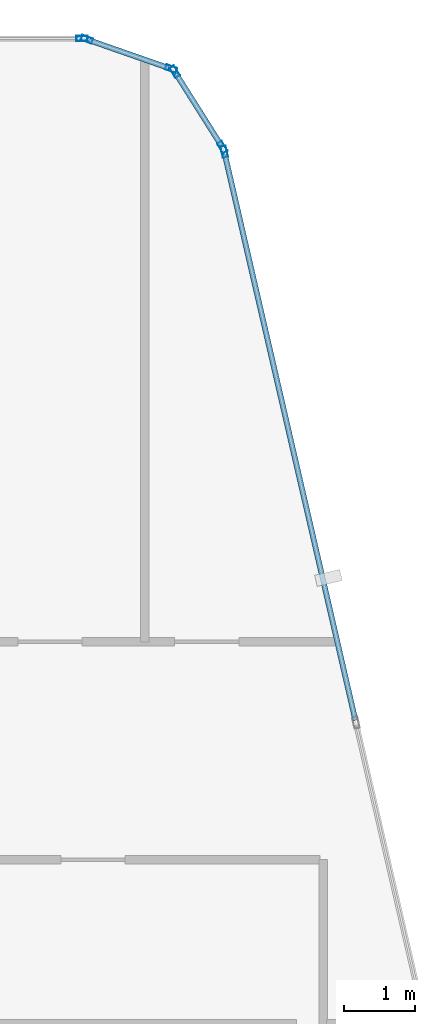
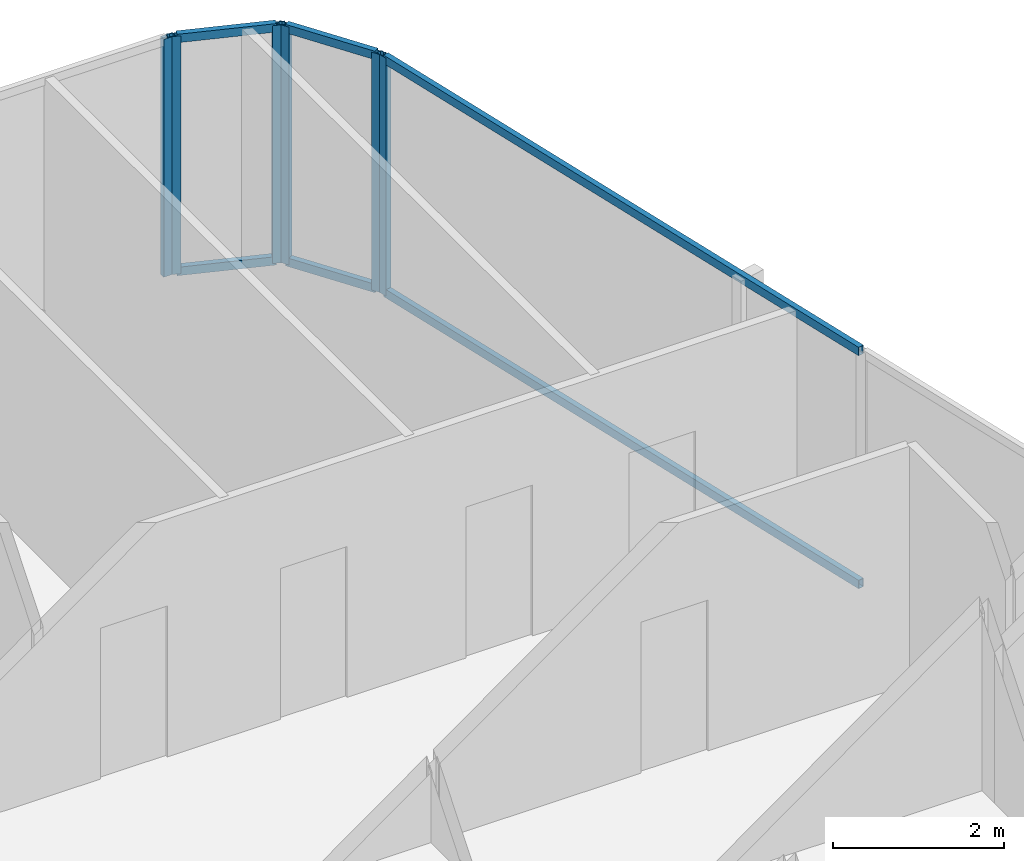
# One storey, part 21 of 30: 12 members, 4 elements without a shape of their own.
"""IFC4 building model written with IfcOpenShell, lengths in metres."""

from ifc_helpers import new_model, si_unit, direction, frame, origin, origin_2d, place, context, subcontext, project, spatial, hollow_rectangle, extrude, material, layer, layer_set, material_profile, profile_set, type_object, element, aggregate, save


model = new_model("IFC4")

# Units and contexts
model_context = context("Model", 3, precision=1e-05, world=origin(), true_north=direction((0.0, 1.0)))
body_context = subcontext(model_context, "Body", "Model", "MODEL_VIEW")
ifc_project = project(units=[si_unit("LENGTHUNIT", "METRE"), si_unit("AREAUNIT", "SQUARE_METRE"), si_unit("VOLUMEUNIT", "CUBIC_METRE"), si_unit("PLANEANGLEUNIT", "RADIAN"), si_unit("MASSUNIT", "GRAM", prefix="KILO")], contexts=[model_context])

# Site, building, storey
site_placement = place(None, origin())
site = spatial("IfcSite", under=ifc_project, at=site_placement, CompositionType="ELEMENT")
building_placement = place(site_placement, origin())
building = spatial("IfcBuilding", under=site, at=building_placement, Name="Keshet Zoharim Tower", CompositionType="ELEMENT")
storey_placement = place(building_placement, frame((0.0, 0.0, 280.60009765625)))
storey = spatial("IfcBuildingStorey", under=building, at=storey_placement, Name="L70", CompositionType="ELEMENT", Elevation=280.60009765625)

# Curtain wall, member
ifc_material = material(Name="Aluminium 6063-T6", Category="aluminium")
ifc_layer = layer(ifc_material, 0.260009765625)
ifc_layer_set = layer_set([ifc_layer], Name="Aluminium 6063-T6")
curtain_wall_type = type_object("IfcCurtainWallType", Name="CW-SYS-06", PredefinedType="NOTDEFINED", material=ifc_layer_set)
curtain_wall_1_placement = place(storey_placement, origin())
curtain_wall_1 = element("IfcCurtainWall", 1, at=curtain_wall_1_placement, inside=storey, type_object=curtain_wall_type, Name="L70 Unitised Curtain Wall 06 Part 3", PredefinedType="NOTDEFINED")
ifc_material_profile_1 = material_profile(ifc_material, hollow_rectangle(XDim=0.074951171875, YDim=0.159912109375, WallThickness=0.00390625, at=origin_2d()), Name="MUL-75x160")
ifc_profile_set_1 = profile_set([ifc_material_profile_1], Name="Aluminium 6063-T6")
member_type_1 = type_object("IfcMemberType", Name="CWM-M15", PredefinedType="MULLION", material=ifc_profile_set_1)
member_1_placement = place(storey_placement, frame((37.3740234375, 53.89990234375, 0.0), z_axis=(0.0, 0.0, 1.0), x_axis=(0.0, 1.0, 0.0)))
member_1 = element("IfcMember", 2, at=member_1_placement, type_object=member_type_1, Name="CW-06 mullion 2", PredefinedType="MULLION", context=body_context, shape_type="SweptSolid", body=[
    extrude(hollow_rectangle(XDim=0.074951171875, YDim=0.159912109375, WallThickness=0.00390625, at=origin_2d()), origin(), (0.0, 0.0, 1.0), 3.389892578125),
])
aggregate(curtain_wall_1, [member_1])

# Curtain wall, members
curtain_wall_2_placement = place(storey_placement, origin())
curtain_wall_2 = element("IfcCurtainWall", 3, at=curtain_wall_2_placement, inside=storey, type_object=curtain_wall_type, Name="L70 Unitised Curtain Wall 07", PredefinedType="NOTDEFINED")
member_2_placement = place(storey_placement, frame((37.442138671875, 53.888427734375, 0.0), z_axis=(0.0, 0.0, 1.0), x_axis=(0.329843743636, 0.944035542119, 0.0)))
member_2 = element("IfcMember", 4, at=member_2_placement, type_object=member_type_1, Name="CW-06 mullion 1", PredefinedType="MULLION", context=body_context, shape_type="SweptSolid", body=[
    extrude(hollow_rectangle(XDim=0.074951171875, YDim=0.159912109375, WallThickness=0.00390625, at=origin_2d()), origin(), (0.0, 0.0, 1.0), 3.389892578125),
])
member_3_placement = place(storey_placement, frame((38.620849609375, 53.4765625, 0.0), z_axis=(0.0, 0.0, 1.0), x_axis=(0.329843743636, 0.944035542119, 0.0)))
member_3 = element("IfcMember", 5, at=member_3_placement, type_object=member_type_1, Name="CW-06 mullion 2", PredefinedType="MULLION", context=body_context, shape_type="SweptSolid", body=[
    extrude(hollow_rectangle(XDim=0.074951171875, YDim=0.159912109375, WallThickness=0.00390625, at=origin_2d()), origin(), (0.0, 0.0, 1.0), 3.389892578125),
])

curtain_wall_3_placement = place(storey_placement, origin())
curtain_wall_3 = element("IfcCurtainWall", 6, at=curtain_wall_3_placement, inside=storey, type_object=curtain_wall_type, Name="L70 Unitised Curtain Wall 08", PredefinedType="NOTDEFINED")
member_4_placement = place(storey_placement, frame((38.672607421875, 53.435302734375, 0.0), z_axis=(0.0, 0.0, 1.0), x_axis=(0.845560976183, 0.533878858502, 0.0)))
member_4 = element("IfcMember", 7, at=member_4_placement, type_object=member_type_1, Name="CW-06 mullion 1", PredefinedType="MULLION", context=body_context, shape_type="SweptSolid", body=[
    extrude(hollow_rectangle(XDim=0.074951171875, YDim=0.159912109375, WallThickness=0.00390625, at=origin_2d()), origin(), (0.0, 0.0, 1.0), 3.389892578125),
])
member_5_placement = place(storey_placement, frame((39.33935546875, 52.379638671875, 0.0), z_axis=(0.0, 0.0, 1.0), x_axis=(0.845560976183, 0.533878858502, 0.0)))
member_5 = element("IfcMember", 8, at=member_5_placement, type_object=member_type_1, Name="CW-06 mullion 2", PredefinedType="MULLION", context=body_context, shape_type="SweptSolid", body=[
    extrude(hollow_rectangle(XDim=0.074951171875, YDim=0.159912109375, WallThickness=0.00390625, at=origin_2d()), origin(), (0.0, 0.0, 1.0), 3.389892578125),
])

# Curtain wall, member
curtain_wall_4_placement = place(storey_placement, origin())
curtain_wall_4 = element("IfcCurtainWall", 9, at=curtain_wall_4_placement, inside=storey, type_object=curtain_wall_type, Name="L70 Unitised Curtain Wall 09", PredefinedType="NOTDEFINED")
member_6_placement = place(storey_placement, frame((39.365966796875, 52.31591796875, 0.0), z_axis=(0.0, 0.0, 1.0), x_axis=(0.974398012932, 0.224829963294, 0.0)))
member_6 = element("IfcMember", 10, at=member_6_placement, type_object=member_type_1, Name="CW-06 mullion 1", PredefinedType="MULLION", context=body_context, shape_type="SweptSolid", body=[
    extrude(hollow_rectangle(XDim=0.074951171875, YDim=0.159912109375, WallThickness=0.00390625, at=origin_2d()), origin(), (0.0, 0.0, 1.0), 3.389892578125),
])

# Member
ifc_material_profile_2 = material_profile(ifc_material, hollow_rectangle(XDim=0.074951171875, YDim=0.1201171875, WallThickness=0.00390625, at=origin_2d()), Name="TRN-75x120")
ifc_profile_set_2 = profile_set([ifc_material_profile_2], Name="Aluminium 6063-T6")
member_type_2 = type_object("IfcMemberType", Name="CWT-T12", PredefinedType="USERDEFINED", material=ifc_profile_set_2)
member_7_placement = place(storey_placement, frame((37.47509765625, 53.876953125, 0.034912109375), z_axis=(0.944006789648, -0.329926023675, 0.0), x_axis=(0.329926023675, 0.944006789648, 0.0)))
member_7 = element("IfcMember", 11, at=member_7_placement, type_object=member_type_2, Name="CW-06 transom 1.1", ObjectType="TRANSOM", PredefinedType="USERDEFINED", context=body_context, shape_type="SweptSolid", body=[
    extrude(hollow_rectangle(XDim=0.074951171875, YDim=0.1201171875, WallThickness=0.00390625, at=origin_2d()), origin(), (0.0, 0.0, 1.0), 1.1787109375),
])

member_8_placement = place(storey_placement, frame((37.47509765625, 53.876953125, 3.35498046875), z_axis=(0.944006789648, -0.329926023675, 0.0), x_axis=(0.329926023675, 0.944006789648, 0.0)))
member_8 = element("IfcMember", 12, at=member_8_placement, type_object=member_type_2, Name="CW-06 transom 1.2", ObjectType="TRANSOM", PredefinedType="USERDEFINED", context=body_context, shape_type="SweptSolid", body=[
    extrude(hollow_rectangle(XDim=0.074951171875, YDim=0.1201171875, WallThickness=0.00390625, at=origin_2d()), origin(), (0.0, 0.0, 1.0), 1.1787109375),
])

aggregate(curtain_wall_2, [member_2, member_3, member_7, member_8])

member_9_placement = place(storey_placement, frame((38.69140625, 53.40576171875, 0.034912109375), z_axis=(0.53382931122, -0.845592257819, 0.0), x_axis=(0.845592257819, 0.53382931122, 0.0)))
member_9 = element("IfcMember", 13, at=member_9_placement, type_object=member_type_2, Name="CW-06 transom 1.1", ObjectType="TRANSOM", PredefinedType="USERDEFINED", context=body_context, shape_type="SweptSolid", body=[
    extrude(hollow_rectangle(XDim=0.074951171875, YDim=0.1201171875, WallThickness=0.00390625, at=origin_2d()), origin(), (0.0, 0.0, 1.0), 1.178466796875),
])

member_10_placement = place(storey_placement, frame((38.69140625, 53.40576171875, 3.35498046875), z_axis=(0.53382931122, -0.845592257819, 0.0), x_axis=(0.845592257819, 0.53382931122, 0.0)))
member_10 = element("IfcMember", 14, at=member_10_placement, type_object=member_type_2, Name="CW-06 transom 1.2", ObjectType="TRANSOM", PredefinedType="USERDEFINED", context=body_context, shape_type="SweptSolid", body=[
    extrude(hollow_rectangle(XDim=0.074951171875, YDim=0.1201171875, WallThickness=0.00390625, at=origin_2d()), origin(), (0.0, 0.0, 1.0), 1.178466796875),
])

aggregate(curtain_wall_3, [member_4, member_5, member_9, member_10])

member_11_placement = place(storey_placement, frame((39.373779296875, 52.28173828125, 0.034912109375), z_axis=(0.224835397421, -0.97439675906, 0.0), x_axis=(0.97439675906, 0.224835397421, 0.0)))
member_11 = element("IfcMember", 15, at=member_11_placement, type_object=member_type_2, Name="CW-06 transom 1.1", ObjectType="TRANSOM", PredefinedType="USERDEFINED", context=body_context, shape_type="SweptSolid", body=[
    extrude(hollow_rectangle(XDim=0.074951171875, YDim=0.1201171875, WallThickness=0.00390625, at=origin_2d()), origin(), (0.0, 0.0, 1.0), 8.13525390625),
])

member_12_placement = place(storey_placement, frame((39.373779296875, 52.28173828125, 3.35498046875), z_axis=(0.224835397421, -0.97439675906, 0.0), x_axis=(0.97439675906, 0.224835397421, 0.0)))
member_12 = element("IfcMember", 16, at=member_12_placement, type_object=member_type_2, Name="CW-06 transom 1.2", ObjectType="TRANSOM", PredefinedType="USERDEFINED", context=body_context, shape_type="SweptSolid", body=[
    extrude(hollow_rectangle(XDim=0.074951171875, YDim=0.1201171875, WallThickness=0.00390625, at=origin_2d()), origin(), (0.0, 0.0, 1.0), 8.13525390625),
])

aggregate(curtain_wall_4, [member_6, member_11, member_12])

save(model, "model.ifc")
